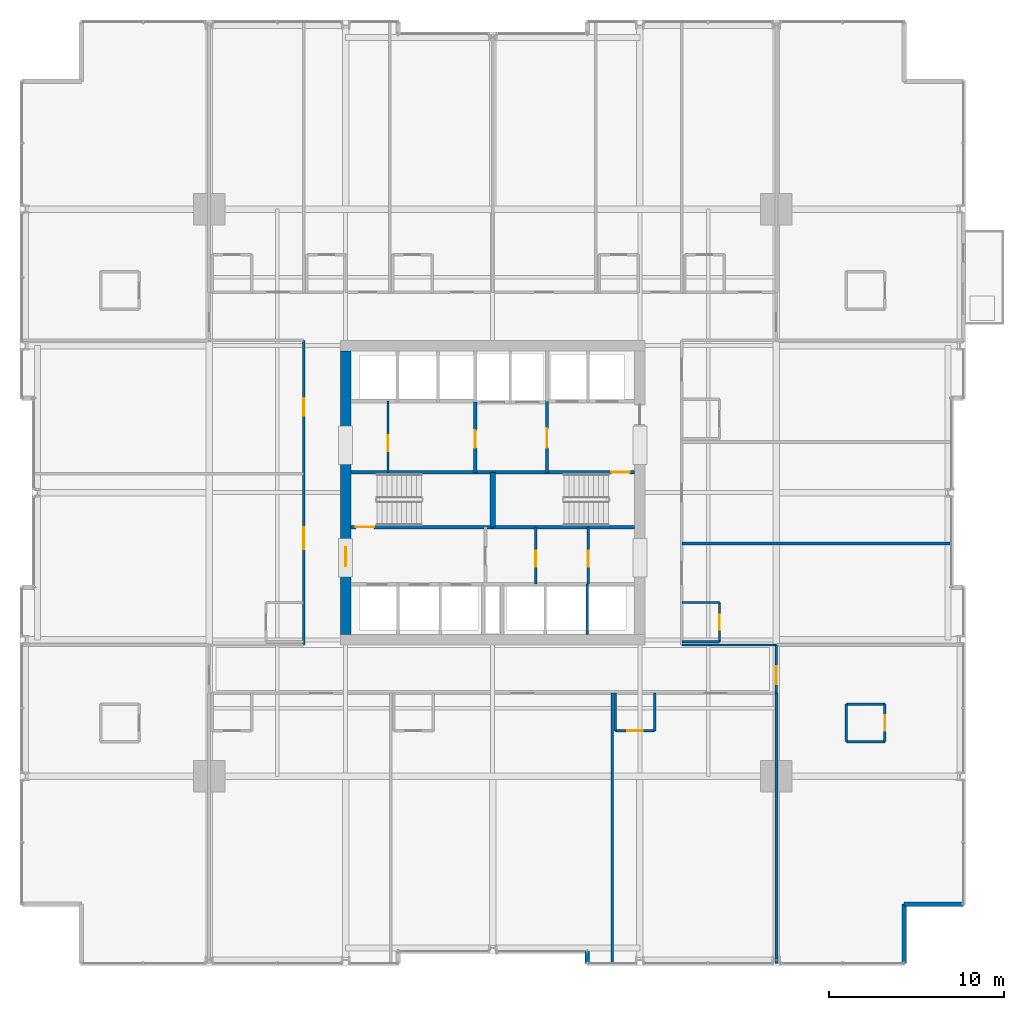
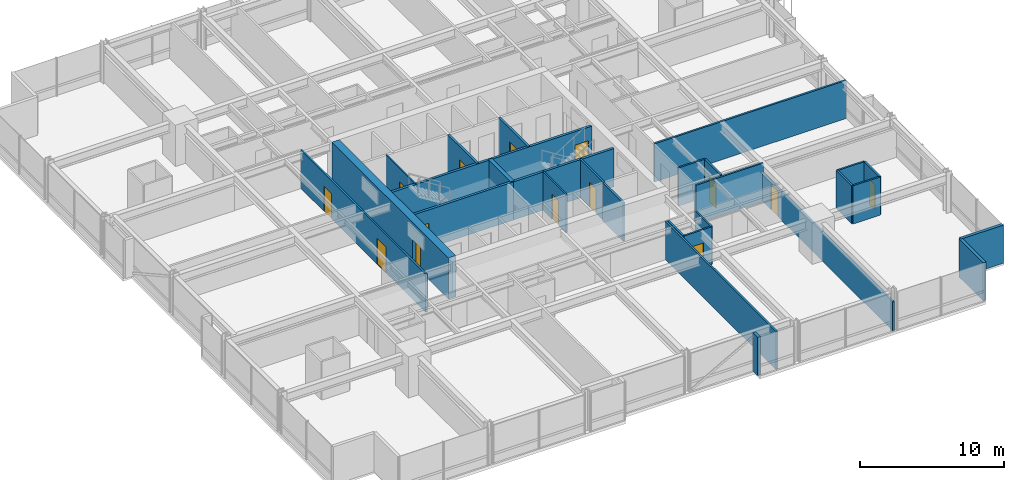
# One storey, part 31 of 38: 31 walls, 14 doors, 14 openings.
"""IFC4 building model written with IfcOpenShell, lengths in metres."""

from ifc_helpers import new_model, si_unit, direction, frame, frame_2d, origin, place, context, subcontext, project, spatial, rectangle, extrude, material, layer, layer_set, type_object, element, fill, save


model = new_model("IFC4")

# Units and contexts
model_context = context("Model", 3, precision=1e-05, world=origin(), true_north=direction((0.0, 1.0)))
body_context = subcontext(model_context, "Body", "Model", "MODEL_VIEW")
ifc_project = project(units=[si_unit("LENGTHUNIT", "METRE"), si_unit("AREAUNIT", "SQUARE_METRE"), si_unit("VOLUMEUNIT", "CUBIC_METRE"), si_unit("PLANEANGLEUNIT", "RADIAN"), si_unit("MASSUNIT", "GRAM", prefix="KILO")], contexts=[model_context])

# Site, building, storey
site_placement = place(None, origin())
site = spatial("IfcSite", under=ifc_project, at=site_placement, CompositionType="ELEMENT")
building_placement = place(site_placement, origin())
building = spatial("IfcBuilding", under=site, at=building_placement, Name="Drelvath Grand Hotel", CompositionType="ELEMENT")
storey_placement = place(building_placement, frame((0.0, 0.0, 64.699951171875)))
storey = spatial("IfcBuildingStorey", under=building, at=storey_placement, Name="L15", CompositionType="ELEMENT", Elevation=64.699951171875)

# Wall, opening, door
ifc_material_1 = material(Name="Gypsum Partition Board")
ifc_layer_1 = layer(ifc_material_1, 0.10009765625)
ifc_layer_set_1 = layer_set([ifc_layer_1], Name="Gypsum Partition Board")
wall_type_1 = type_object("IfcWallType", Name="Core Closet Partition 100", PredefinedType="PARTITIONING", material=ifc_layer_set_1)
wall_1_placement = place(storey_placement, frame((-5.97998046875, 28.159912109375, 0.0), z_axis=(0.0, 0.0, 1.0), x_axis=(0.0, 1.0, 0.0)))
wall_1 = element("IfcWall", 1, at=wall_1_placement, inside=storey, type_object=wall_type_1, Name="L15 Core Closet Divider 2", PredefinedType="PARTITIONING", context=body_context, shape_type="SweptSolid", body=[
    extrude(rectangle(XDim=4.06005859375, YDim=0.10009765625, at=frame_2d((2.030029296875, 0.0))), origin(), (0.0, 0.0, 1.0), 3.239990234375),
])
opening_1_placement = place(wall_1_placement, frame((1.199951171875, 0.0, 0.0)))
opening_1 = element("IfcOpeningElement", 2, at=opening_1_placement, cuts=wall_1, Name="Opening D-T1G4-010", PredefinedType="OPENING", context=body_context, shape_type="SweptSolid", body=[
    extrude(rectangle(XDim=0.919921875, YDim=2.10009765625, at=frame_2d((0.4599609375, 1.050048828125))), frame((0.0, 0.06005859375, 0.0), z_axis=(0.0, -1.0, 0.0), x_axis=(1.0, 0.0, 0.0)), (0.0, 0.0, 1.0), 0.1201171875),
])
ifc_material_2 = material(Name="Painted Steel S275", Category="steel")
door_type_1 = type_object("IfcDoorType", Name="Staff Utility Door 920x2100", OperationType="NOTDEFINED", PredefinedType="DOOR", material=ifc_material_2)
door_1_placement = place(opening_1_placement, origin())
door_1 = element("IfcDoor", 3, at=door_1_placement, inside=storey, type_object=door_type_1, Name="L15 Low-Voltage Closet Door", OperationType="SINGLE_SWING_RIGHT", OverallHeight=2.10009765625, OverallWidth=0.919921875, PredefinedType="DOOR", context=body_context, shape_type="SweptSolid", body=[
    extrude(rectangle(XDim=0.919921875, YDim=2.10009765625, at=frame_2d((0.4599609375, 1.050048828125))), frame((0.0, 0.02490234375, 0.0), z_axis=(0.0, -1.0, 0.0), x_axis=(1.0, 0.0, 0.0)), (0.0, 0.0, 1.0), 0.050048828125),
])
fill(opening_1, door_1)

ifc_material_3 = material(Name="Concrete C40/50", Category="concrete")
ifc_layer_2 = layer(ifc_material_3, 0.199951171875)
ifc_layer_set_2 = layer_set([ifc_layer_2], Name="Concrete C40/50")
wall_type_2 = type_object("IfcWallType", Name="Core Shaft Fire Wall 200", PredefinedType="SOLIDWALL", material=ifc_layer_set_2)
wall_2_placement = place(storey_placement, frame((-8.10009765625, 25.0400390625, 0.0), z_axis=(0.0, 0.0, 1.0), x_axis=(1.0, 0.0, 0.0)))
wall_2 = element("IfcWall", 4, at=wall_2_placement, inside=storey, type_object=wall_type_2, Name="L15 Stair ST-1 South Wall", PredefinedType="SOLIDWALL", context=body_context, shape_type="SweptSolid", body=[
    extrude(rectangle(XDim=8.10009765625, YDim=0.199951171875, at=frame_2d((4.050048828125, 0.0))), origin(), (0.0, 0.0, 1.0), 3.239990234375),
])
opening_2_placement = place(wall_2_placement, frame((0.280029296875, 0.0, 0.0)))
opening_2 = element("IfcOpeningElement", 5, at=opening_2_placement, cuts=wall_2, Name="Opening D-T1G4-001", PredefinedType="OPENING", context=body_context, shape_type="SweptSolid", body=[
    extrude(rectangle(XDim=1.050048828125, YDim=2.10009765625, at=frame_2d((0.52490234375, 1.050048828125))), frame((0.0, 0.10986328125, 0.0), z_axis=(0.0, -1.0, 0.0), x_axis=(1.0, 0.0, 0.0)), (0.0, 0.0, 1.0), 0.219970703125),
])
door_type_2 = type_object("IfcDoorType", Name="Tower Stairwell Fire Door 1050x2100", OperationType="NOTDEFINED", PredefinedType="DOOR", material=ifc_material_2)
door_2_placement = place(opening_2_placement, origin())
door_2 = element("IfcDoor", 6, at=door_2_placement, inside=storey, type_object=door_type_2, Name="L15 Exit Stair ST-1 Door", OperationType="SINGLE_SWING_LEFT", OverallHeight=2.10009765625, OverallWidth=1.050048828125, PredefinedType="DOOR", context=body_context, shape_type="SweptSolid", body=[
    extrude(rectangle(XDim=1.050048828125, YDim=2.10009765625, at=frame_2d((0.52490234375, 1.050048828125))), frame((0.0, 0.02490234375, 0.0), z_axis=(0.0, -1.0, 0.0), x_axis=(1.0, 0.0, 0.0)), (0.0, 0.0, 1.0), 0.050048828125),
])
fill(opening_2, door_2)

# Walls
for number, where, z_axis, x_axis, name in (
    (7, (-8.10009765625, 28.159912109375, 0.0), (0.0, 0.0, 1.0), (1.0, 0.0, 0.0), "L15 Stair ST-1 North Wall"),
    (8, (0.0, 25.0400390625, 0.0), (0.0, 0.0, 1.0), (1.0, 0.0, 0.0), "L15 Stair ST-2 South Wall"),
):
    element("IfcWall", number, at=place(storey_placement, frame(where, z_axis=z_axis, x_axis=x_axis)), inside=storey, type_object=wall_type_2, Name=name, PredefinedType="SOLIDWALL", context=body_context, shape_type="SweptSolid", body=[
        extrude(rectangle(XDim=8.10009765625, YDim=0.199951171875, at=frame_2d((4.050048828125, 0.0))), origin(), (0.0, 0.0, 1.0), 3.239990234375),
    ])

# Wall, opening, door
wall_3_placement = place(storey_placement, frame((8.10009765625, 28.159912109375, 0.0), z_axis=(0.0, 0.0, 1.0), x_axis=(-1.0, 0.0, 0.0)))
wall_3 = element("IfcWall", 9, at=wall_3_placement, inside=storey, type_object=wall_type_2, Name="L15 Stair ST-2 North Wall", PredefinedType="SOLIDWALL", context=body_context, shape_type="SweptSolid", body=[
    extrude(rectangle(XDim=8.10009765625, YDim=0.199951171875, at=frame_2d((4.050048828125, 0.0))), origin(), (0.0, 0.0, 1.0), 3.239990234375),
])
opening_3_placement = place(wall_3_placement, frame((0.280029296875, 0.0, 0.0)))
opening_3 = element("IfcOpeningElement", 10, at=opening_3_placement, cuts=wall_3, Name="Opening D-T1G4-002", PredefinedType="OPENING", context=body_context, shape_type="SweptSolid", body=[
    extrude(rectangle(XDim=1.050048828125, YDim=2.10009765625, at=frame_2d((0.52490234375, 1.050048828125))), frame((0.0, 0.10986328125, 0.0), z_axis=(0.0, -1.0, 0.0), x_axis=(1.0, 0.0, 0.0)), (0.0, 0.0, 1.0), 0.219970703125),
])
door_3_placement = place(opening_3_placement, origin())
door_3 = element("IfcDoor", 11, at=door_3_placement, inside=storey, type_object=door_type_2, Name="L15 Exit Stair ST-2 Door", OperationType="SINGLE_SWING_LEFT", OverallHeight=2.10009765625, OverallWidth=1.050048828125, PredefinedType="DOOR", context=body_context, shape_type="SweptSolid", body=[
    extrude(rectangle(XDim=1.050048828125, YDim=2.10009765625, at=frame_2d((0.52490234375, 1.050048828125))), frame((0.0, 0.02490234375, 0.0), z_axis=(0.0, -1.0, 0.0), x_axis=(1.0, 0.0, 0.0)), (0.0, 0.0, 1.0), 0.050048828125),
])
fill(opening_3, door_3)

# Walls
ifc_layer_3 = layer(ifc_material_3, 0.300048828125)
ifc_layer_set_3 = layer_set([ifc_layer_3], Name="Concrete C40/50")
wall_type_3 = type_object("IfcWallType", Name="Core Shaft Fire Wall 300", PredefinedType="SOLIDWALL", material=ifc_layer_set_3)
wall_4_placement = place(storey_placement, frame((0.0, 25.0400390625, 0.0), z_axis=(0.0, 0.0, 1.0), x_axis=(0.0, 1.0, 0.0)))
element("IfcWall", 12, at=wall_4_placement, inside=storey, type_object=wall_type_3, Name="L15 Core Stair Divider Wall", PredefinedType="SOLIDWALL", context=body_context, shape_type="SweptSolid", body=[
    extrude(rectangle(XDim=3.119873046875, YDim=0.300048828125, at=frame_2d((1.56005859375, 0.0))), origin(), (0.0, 0.0, 1.0), 3.239990234375),
])
ifc_material_4 = material(Name="Gypsum Fireboard Partition")
ifc_layer_4 = layer(ifc_material_4, 0.1650390625)
ifc_layer_set_4 = layer_set([ifc_layer_4], Name="Gypsum Fireboard Partition")
wall_type_4 = type_object("IfcWallType", Name="Core Shaft Partition 165", PredefinedType="PARTITIONING", material=ifc_layer_set_4)
wall_5_placement = place(storey_placement, frame((5.39990234375, 18.89990234375, 0.0), z_axis=(0.0, 0.0, 1.0), x_axis=(0.0, 1.0, 0.0)))
element("IfcWall", 13, at=wall_5_placement, inside=storey, type_object=wall_type_4, Name="L15 Lift PE-5/6 Divider", PredefinedType="PARTITIONING", context=body_context, shape_type="SweptSolid", body=[
    extrude(rectangle(XDim=2.880126953125, YDim=0.1650390625, at=frame_2d((1.43994140625, 0.0))), origin(), (0.0, 0.0, 1.0), 3.239990234375),
])
ifc_layer_5 = layer(ifc_material_4, 0.135009765625)
ifc_layer_set_5 = layer_set([ifc_layer_5], Name="Gypsum Fireboard Partition")
wall_type_5 = type_object("IfcWallType", Name="Corridor Fire Barrier Wall 135", PredefinedType="PARTITIONING", material=ifc_layer_set_5)
wall_6_placement = place(storey_placement, frame((10.800048828125, 18.300048828125, 0.0), z_axis=(0.0, 0.0, 1.0), x_axis=(1.0, 0.0, 0.0)))
element("IfcWall", 14, at=wall_6_placement, inside=storey, type_object=wall_type_5, Name="L15 SE Spur Inner Wall", PredefinedType="PARTITIONING", context=body_context, shape_type="SweptSolid", body=[
    extrude(rectangle(XDim=5.39990234375, YDim=0.135009765625, at=frame_2d((2.699951171875, 0.0))), origin(), (0.0, 0.0, 1.0), 3.239990234375),
])

# Wall, openings, doors
wall_7_placement = place(storey_placement, frame((-10.800048828125, 18.300048828125, 0.0), z_axis=(0.0, 0.0, 1.0), x_axis=(0.0, 1.0, 0.0)))
wall_7 = element("IfcWall", 15, at=wall_7_placement, inside=storey, type_object=wall_type_5, Name="L15 West Corridor Wall", PredefinedType="PARTITIONING", context=body_context, shape_type="SweptSolid", body=[
    extrude(rectangle(XDim=17.39990234375, YDim=0.135009765625, at=frame_2d((8.699951171875, 0.0))), origin(), (0.0, 0.0, 1.0), 3.239990234375),
])
opening_4_placement = place(wall_7_placement, frame((5.478759765625, 0.0, 0.0)))
opening_4 = element("IfcOpeningElement", 16, at=opening_4_placement, cuts=wall_7, Name="Opening D-T1G4-044", PredefinedType="OPENING", context=body_context, shape_type="SweptSolid", body=[
    extrude(rectangle(XDim=1.260009765625, YDim=2.199951171875, at=frame_2d((0.6298828125, 1.10009765625))), frame((0.0, 0.077392578125, 0.0), z_axis=(0.0, -1.0, 0.0), x_axis=(1.0, 0.0, 0.0)), (0.0, 0.0, 1.0), 0.155029296875),
])
opening_5_placement = place(wall_7_placement, frame((13.083740234375, 0.0, 0.0)))
opening_5 = element("IfcOpeningElement", 17, at=opening_5_placement, cuts=wall_7, Name="Opening D-T1G4-045", PredefinedType="OPENING", context=body_context, shape_type="SweptSolid", body=[
    extrude(rectangle(XDim=1.02001953125, YDim=2.14990234375, at=frame_2d((0.510009765625, 1.074951171875))), frame((0.0, 0.077392578125, 0.0), z_axis=(0.0, -1.0, 0.0), x_axis=(1.0, 0.0, 0.0)), (0.0, 0.0, 1.0), 0.155029296875),
])
ifc_material_5 = material(Name="Hardwood Walnut Timber", Category="wood")
door_type_3 = type_object("IfcDoorType", Name="Amenity Meeting Fire Door 1020x2150", OperationType="NOTDEFINED", PredefinedType="DOOR", material=ifc_material_5)
door_4_placement = place(opening_5_placement, origin())
door_4 = element("IfcDoor", 18, at=door_4_placement, inside=storey, type_object=door_type_3, Name="L15 Wellness Consultation Room Entry Door", OperationType="SINGLE_SWING_RIGHT", OverallHeight=2.14990234375, OverallWidth=1.02001953125, PredefinedType="DOOR", context=body_context, shape_type="SweptSolid", body=[
    extrude(rectangle(XDim=1.02001953125, YDim=2.14990234375, at=frame_2d((0.510009765625, 1.074951171875))), frame((0.0, 0.02490234375, 0.0), z_axis=(0.0, -1.0, 0.0), x_axis=(1.0, 0.0, 0.0)), (0.0, 0.0, 1.0), 0.050048828125),
])
fill(opening_5, door_4)
door_type_4 = type_object("IfcDoorType", Name="Suite Entrance Fire Door 1260x2200", OperationType="NOTDEFINED", PredefinedType="DOOR", material=ifc_material_5)
door_5_placement = place(opening_4_placement, origin())
door_5 = element("IfcDoor", 19, at=door_5_placement, inside=storey, type_object=door_type_4, Name="L15 Corner Suite Entry Door", OperationType="SINGLE_SWING_LEFT", OverallHeight=2.199951171875, OverallWidth=1.260009765625, PredefinedType="DOOR", context=body_context, shape_type="SweptSolid", body=[
    extrude(rectangle(XDim=1.260009765625, YDim=2.199951171875, at=frame_2d((0.6298828125, 1.10009765625))), frame((0.0, 0.02490234375, 0.0), z_axis=(0.0, -1.0, 0.0), x_axis=(1.0, 0.0, 0.0)), (0.0, 0.0, 1.0), 0.050048828125),
])
fill(opening_4, door_5)

# Wall, opening, door
wall_8_placement = place(storey_placement, frame((16.199951171875, 15.550048828125, 0.0), z_axis=(0.0, 0.0, 1.0), x_axis=(0.0, 1.0, 0.0)))
wall_8 = element("IfcWall", 20, at=wall_8_placement, inside=storey, type_object=wall_type_5, Name="L15 South Corridor East End", PredefinedType="PARTITIONING", context=body_context, shape_type="SweptSolid", body=[
    extrude(rectangle(XDim=2.75, YDim=0.135009765625, at=frame_2d((1.375, 0.0))), origin(), (0.0, 0.0, 1.0), 2.451904296875),
])
opening_6_placement = place(wall_8_placement, frame((0.52001953125, 0.0, 0.0)))
opening_6 = element("IfcOpeningElement", 21, at=opening_6_placement, cuts=wall_8, Name="Opening D-T1G4-021", PredefinedType="OPENING", context=body_context, shape_type="SweptSolid", body=[
    extrude(rectangle(XDim=1.02001953125, YDim=2.14990234375, at=frame_2d((0.510009765625, 1.074951171875))), frame((0.0, 0.077392578125, 0.0), z_axis=(0.0, -1.0, 0.0), x_axis=(1.0, 0.0, 0.0)), (0.0, 0.0, 1.0), 0.155029296875),
])
door_6_placement = place(opening_6_placement, origin())
door_6 = element("IfcDoor", 22, at=door_6_placement, inside=storey, type_object=door_type_3, Name="L15 Corner Suite Entry Door", OperationType="SINGLE_SWING_RIGHT", OverallHeight=2.14990234375, OverallWidth=1.02001953125, PredefinedType="DOOR", context=body_context, shape_type="SweptSolid", body=[
    extrude(rectangle(XDim=1.02001953125, YDim=2.14990234375, at=frame_2d((0.510009765625, 1.074951171875))), frame((0.0, 0.02490234375, 0.0), z_axis=(0.0, -1.0, 0.0), x_axis=(1.0, 0.0, 0.0)), (0.0, 0.0, 1.0), 0.050048828125),
])
fill(opening_6, door_6)

ifc_material_6 = material(Name="Moisture-Resistant Gypsum Board")
ifc_layer_6 = layer(ifc_material_6, 0.139892578125)
ifc_layer_set_6 = layer_set([ifc_layer_6], Name="Moisture-Resistant Gypsum Board")
wall_type_6 = type_object("IfcWallType", Name="En-Suite Plumbing Wall 140", PredefinedType="PLUMBINGWALL", material=ifc_layer_set_6)
wall_9_placement = place(storey_placement, frame((2.4599609375, 21.780029296875, 0.0), z_axis=(0.0, 0.0, 1.0), x_axis=(0.0, 1.0, 0.0)))
wall_9 = element("IfcWall", 23, at=wall_9_placement, inside=storey, type_object=wall_type_6, Name="L15 Staff WC West Wall", PredefinedType="PLUMBINGWALL", context=body_context, shape_type="SweptSolid", body=[
    extrude(rectangle(XDim=3.260009765625, YDim=0.139892578125, at=frame_2d((1.6298828125, 0.0))), origin(), (0.0, 0.0, 1.0), 3.239990234375),
])
opening_7_placement = place(wall_9_placement, frame((1.0, 0.0, 0.0)))
opening_7 = element("IfcOpeningElement", 24, at=opening_7_placement, cuts=wall_9, Name="Opening D-T1G4-016", PredefinedType="OPENING", context=body_context, shape_type="SweptSolid", body=[
    extrude(rectangle(XDim=0.919921875, YDim=2.10009765625, at=frame_2d((0.4599609375, 1.050048828125))), frame((0.0, 0.079833984375, 0.0), z_axis=(0.0, -1.0, 0.0), x_axis=(1.0, 0.0, 0.0)), (0.0, 0.0, 1.0), 0.159912109375),
])
door_7_placement = place(opening_7_placement, origin())
door_7 = element("IfcDoor", 25, at=door_7_placement, inside=storey, type_object=door_type_1, Name="L15 Staff WC Door", OperationType="SINGLE_SWING_LEFT", OverallHeight=2.10009765625, OverallWidth=0.919921875, PredefinedType="DOOR", context=body_context, shape_type="SweptSolid", body=[
    extrude(rectangle(XDim=0.919921875, YDim=2.10009765625, at=frame_2d((0.4599609375, 1.050048828125))), frame((0.0, 0.02490234375, 0.0), z_axis=(0.0, -1.0, 0.0), x_axis=(1.0, 0.0, 0.0)), (0.0, 0.0, 1.0), 0.050048828125),
])
fill(opening_7, door_7)

wall_10_placement = place(storey_placement, frame((5.4599609375, 21.780029296875, 0.0), z_axis=(0.0, 0.0, 1.0), x_axis=(0.0, 1.0, 0.0)))
wall_10 = element("IfcWall", 26, at=wall_10_placement, inside=storey, type_object=wall_type_6, Name="L15 Staff WC East Wall", PredefinedType="PLUMBINGWALL", context=body_context, shape_type="SweptSolid", body=[
    extrude(rectangle(XDim=3.260009765625, YDim=0.139892578125, at=frame_2d((1.6298828125, 0.0))), origin(), (0.0, 0.0, 1.0), 3.239990234375),
])
opening_8_placement = place(wall_10_placement, frame((1.0, 0.0, 0.0)))
opening_8 = element("IfcOpeningElement", 27, at=opening_8_placement, cuts=wall_10, Name="Opening D-T1G4-017", PredefinedType="OPENING", context=body_context, shape_type="SweptSolid", body=[
    extrude(rectangle(XDim=0.919921875, YDim=2.10009765625, at=frame_2d((0.4599609375, 1.050048828125))), frame((0.0, 0.079833984375, 0.0), z_axis=(0.0, -1.0, 0.0), x_axis=(1.0, 0.0, 0.0)), (0.0, 0.0, 1.0), 0.159912109375),
])
door_8_placement = place(opening_8_placement, origin())
door_8 = element("IfcDoor", 28, at=door_8_placement, inside=storey, type_object=door_type_1, Name="L15 Janitor Supply Door", OperationType="SINGLE_SWING_RIGHT", OverallHeight=2.10009765625, OverallWidth=0.919921875, PredefinedType="DOOR", context=body_context, shape_type="SweptSolid", body=[
    extrude(rectangle(XDim=0.919921875, YDim=2.10009765625, at=frame_2d((0.4599609375, 1.050048828125))), frame((0.0, 0.02490234375, 0.0), z_axis=(0.0, -1.0, 0.0), x_axis=(1.0, 0.0, 0.0)), (0.0, 0.0, 1.0), 0.050048828125),
])
fill(opening_8, door_8)

# Walls
for number, where, z_axis, x_axis, name in (
    (29, (20.199951171875, 12.780029296875, 0.0), (0.0, 0.0, 1.0), (1.0, 0.0, 0.0), "L15 Corner En-Suite South"),
    (30, (20.199951171875, 14.929931640625, 0.0), (0.0, 0.0, 1.0), (1.0, 0.0, 0.0), "L15 Corner En-Suite North"),
):
    element("IfcWall", number, at=place(storey_placement, frame(where, z_axis=z_axis, x_axis=x_axis)), inside=storey, type_object=wall_type_6, Name=name, PredefinedType="PLUMBINGWALL", context=body_context, shape_type="SweptSolid", body=[
        extrude(rectangle(XDim=2.199951171875, YDim=0.139892578125, at=frame_2d((1.10009765625, 0.0))), origin(), (0.0, 0.0, 1.0), 3.239990234375),
    ])
wall_11_placement = place(storey_placement, frame((20.199951171875, 12.780029296875, 0.0), z_axis=(0.0, 0.0, 1.0), x_axis=(0.0, 1.0, 0.0)))
element("IfcWall", 31, at=wall_11_placement, inside=storey, type_object=wall_type_6, Name="L15 Corner En-Suite West", PredefinedType="PLUMBINGWALL", context=body_context, shape_type="SweptSolid", body=[
    extrude(rectangle(XDim=2.14990234375, YDim=0.139892578125, at=frame_2d((1.074951171875, 0.0))), origin(), (0.0, 0.0, 1.0), 3.239990234375),
])

# Wall, opening, door
wall_12_placement = place(storey_placement, frame((22.39990234375, 12.780029296875, 0.0), z_axis=(0.0, 0.0, 1.0), x_axis=(0.0, 1.0, 0.0)))
wall_12 = element("IfcWall", 32, at=wall_12_placement, inside=storey, type_object=wall_type_6, Name="L15 Corner En-Suite East", PredefinedType="PLUMBINGWALL", context=body_context, shape_type="SweptSolid", body=[
    extrude(rectangle(XDim=2.14990234375, YDim=0.139892578125, at=frame_2d((1.074951171875, 0.0))), origin(), (0.0, 0.0, 1.0), 3.239990234375),
])
opening_9_placement = place(wall_12_placement, frame((0.6201171875, 0.0, 0.0)))
opening_9 = element("IfcOpeningElement", 33, at=opening_9_placement, cuts=wall_12, Name="Opening D-T1G4-020", PredefinedType="OPENING", context=body_context, shape_type="SweptSolid", body=[
    extrude(rectangle(XDim=0.8798828125, YDim=2.10009765625, at=frame_2d((0.43994140625, 1.050048828125))), frame((0.0, 0.079833984375, 0.0), z_axis=(0.0, -1.0, 0.0), x_axis=(1.0, 0.0, 0.0)), (0.0, 0.0, 1.0), 0.159912109375),
])
door_type_5 = type_object("IfcDoorType", Name="En-Suite Bathroom Door 880x2100", OperationType="NOTDEFINED", PredefinedType="DOOR", material=ifc_material_5)
door_9_placement = place(opening_9_placement, origin())
door_9 = element("IfcDoor", 34, at=door_9_placement, inside=storey, type_object=door_type_5, Name="L15 Corner En-Suite Door", OperationType="SINGLE_SWING_LEFT", OverallHeight=2.10009765625, OverallWidth=0.8798828125, PredefinedType="DOOR", context=body_context, shape_type="SweptSolid", body=[
    extrude(rectangle(XDim=0.8798828125, YDim=2.10009765625, at=frame_2d((0.43994140625, 1.050048828125))), frame((0.0, 0.02490234375, 0.0), z_axis=(0.0, -1.0, 0.0), x_axis=(1.0, 0.0, 0.0)), (0.0, 0.0, 1.0), 0.050048828125),
])
fill(opening_9, door_9)

# Walls
for number, where, z_axis, x_axis, name in (
    (35, (7.001220703125, 15.550048828125, 0.0), (0.0, 0.0, 1.0), (0.0, -1.0, 0.0), "L15 En-Suite Left Wall"),
    (36, (9.251220703125, 15.550048828125, 0.0), (0.0, 0.0, 1.0), (0.0, -1.0, 0.0), "L15 En-Suite Right Wall"),
):
    element("IfcWall", number, at=place(storey_placement, frame(where, z_axis=z_axis, x_axis=x_axis)), inside=storey, type_object=wall_type_6, Name=name, PredefinedType="PLUMBINGWALL", context=body_context, shape_type="SweptSolid", body=[
        extrude(rectangle(XDim=2.150146484375, YDim=0.139892578125, at=frame_2d((1.0751953125, 0.0))), origin(), (0.0, 0.0, 1.0), 3.239990234375),
    ])

# Wall, opening, door
wall_13_placement = place(storey_placement, frame((7.001220703125, 13.39990234375, 0.0), z_axis=(0.0, 0.0, 1.0), x_axis=(1.0, 0.0, 0.0)))
wall_13 = element("IfcWall", 37, at=wall_13_placement, inside=storey, type_object=wall_type_6, Name="L15 En-Suite Front Wall", PredefinedType="PLUMBINGWALL", context=body_context, shape_type="SweptSolid", body=[
    extrude(rectangle(XDim=2.25, YDim=0.139892578125, at=frame_2d((1.125, 0.0))), origin(), (0.0, 0.0, 1.0), 3.239990234375),
])
opening_10_placement = place(wall_13_placement, frame((0.68505859375, 0.0, 0.0)))
opening_10 = element("IfcOpeningElement", 38, at=opening_10_placement, cuts=wall_13, Name="Opening D-T1G4-030", PredefinedType="OPENING", context=body_context, shape_type="SweptSolid", body=[
    extrude(rectangle(XDim=0.8798828125, YDim=2.10009765625, at=frame_2d((0.43994140625, 1.050048828125))), frame((0.0, 0.079833984375, 0.0), z_axis=(0.0, -1.0, 0.0), x_axis=(1.0, 0.0, 0.0)), (0.0, 0.0, 1.0), 0.159912109375),
])
door_10_placement = place(opening_10_placement, origin())
door_10 = element("IfcDoor", 39, at=door_10_placement, inside=storey, type_object=door_type_5, Name="L15 En-Suite Bathroom Door", OperationType="SINGLE_SWING_LEFT", OverallHeight=2.10009765625, OverallWidth=0.8798828125, PredefinedType="DOOR", context=body_context, shape_type="SweptSolid", body=[
    extrude(rectangle(XDim=0.8798828125, YDim=2.10009765625, at=frame_2d((0.43994140625, 1.050048828125))), frame((0.0, 0.02490234375, 0.0), z_axis=(0.0, -1.0, 0.0), x_axis=(1.0, 0.0, 0.0)), (0.0, 0.0, 1.0), 0.050048828125),
])
fill(opening_10, door_10)

# Walls
wall_14_placement = place(storey_placement, frame((10.800048828125, 18.47998046875, 0.0), z_axis=(0.0, 0.0, 1.0), x_axis=(1.0, 0.0, 0.0)))
element("IfcWall", 40, at=wall_14_placement, inside=storey, type_object=wall_type_6, Name="L15 En-Suite Left Wall", PredefinedType="PLUMBINGWALL", context=body_context, shape_type="SweptSolid", body=[
    extrude(rectangle(XDim=2.14990234375, YDim=0.139892578125, at=frame_2d((1.074951171875, 0.0))), origin(), (0.0, 0.0, 1.0), 2.617431640625),
])
wall_15_placement = place(storey_placement, frame((10.800048828125, 20.72998046875, 0.0), z_axis=(0.0, 0.0, 1.0), x_axis=(1.0, 0.0, 0.0)))
element("IfcWall", 41, at=wall_15_placement, inside=storey, type_object=wall_type_6, Name="L15 En-Suite Right Wall", PredefinedType="PLUMBINGWALL", context=body_context, shape_type="SweptSolid", body=[
    extrude(rectangle(XDim=2.14990234375, YDim=0.139892578125, at=frame_2d((1.074951171875, 0.0))), origin(), (0.0, 0.0, 1.0), 3.239990234375),
])

# Wall, opening, door
wall_16_placement = place(storey_placement, frame((12.949951171875, 18.47998046875, 0.0), z_axis=(0.0, 0.0, 1.0), x_axis=(0.0, 1.0, 0.0)))
wall_16 = element("IfcWall", 42, at=wall_16_placement, inside=storey, type_object=wall_type_6, Name="L15 En-Suite Front Wall", PredefinedType="PLUMBINGWALL", context=body_context, shape_type="SweptSolid", body=[
    extrude(rectangle(XDim=2.25, YDim=0.139892578125, at=frame_2d((1.125, 0.0))), origin(), (0.0, 0.0, 1.0), 3.239990234375),
])
opening_11_placement = place(wall_16_placement, frame((0.68505859375, 0.0, 0.0)))
opening_11 = element("IfcOpeningElement", 43, at=opening_11_placement, cuts=wall_16, Name="Opening D-T1G4-046", PredefinedType="OPENING", context=body_context, shape_type="SweptSolid", body=[
    extrude(rectangle(XDim=0.8798828125, YDim=2.10009765625, at=frame_2d((0.43994140625, 1.050048828125))), frame((0.0, 0.079833984375, 0.0), z_axis=(0.0, -1.0, 0.0), x_axis=(1.0, 0.0, 0.0)), (0.0, 0.0, 1.0), 0.159912109375),
])
door_11_placement = place(opening_11_placement, origin())
door_11 = element("IfcDoor", 44, at=door_11_placement, inside=storey, type_object=door_type_5, Name="L15 En-Suite Bathroom Door", OperationType="SINGLE_SWING_LEFT", OverallHeight=2.10009765625, OverallWidth=0.8798828125, PredefinedType="DOOR", context=body_context, shape_type="SweptSolid", body=[
    extrude(rectangle(XDim=0.8798828125, YDim=2.10009765625, at=frame_2d((0.43994140625, 1.050048828125))), frame((0.0, 0.02490234375, 0.0), z_axis=(0.0, -1.0, 0.0), x_axis=(1.0, 0.0, 0.0)), (0.0, 0.0, 1.0), 0.050048828125),
])
fill(opening_11, door_11)

ifc_layer_7 = layer(ifc_material_4, 0.179931640625)
ifc_layer_set_7 = layer_set([ifc_layer_7], Name="Gypsum Fireboard Partition")
wall_type_7 = type_object("IfcWallType", Name="FSAE Smoke Lobby Fire Wall 180", PredefinedType="SOLIDWALL", material=ifc_layer_set_7)
wall_17_placement = place(storey_placement, frame((3.10009765625, 28.159912109375, 0.0), z_axis=(0.0, 0.0, 1.0), x_axis=(0.0, 1.0, 0.0)))
wall_17 = element("IfcWall", 45, at=wall_17_placement, inside=storey, type_object=wall_type_7, Name="L15 FSAE Smoke Lobby West Wall", PredefinedType="SOLIDWALL", context=body_context, shape_type="SweptSolid", body=[
    extrude(rectangle(XDim=4.06005859375, YDim=0.179931640625, at=frame_2d((2.030029296875, 0.0))), origin(), (0.0, 0.0, 1.0), 3.239990234375),
])
opening_12_placement = place(wall_17_placement, frame((1.39990234375, 0.0, 0.0)))
opening_12 = element("IfcOpeningElement", 46, at=opening_12_placement, cuts=wall_17, Name="Opening D-T1G4-005", PredefinedType="OPENING", context=body_context, shape_type="SweptSolid", body=[
    extrude(rectangle(XDim=1.1201171875, YDim=2.10009765625, at=frame_2d((0.56005859375, 1.050048828125))), frame((0.0, 0.099853515625, 0.0), z_axis=(0.0, -1.0, 0.0), x_axis=(1.0, 0.0, 0.0)), (0.0, 0.0, 1.0), 0.199951171875),
])
door_type_6 = type_object("IfcDoorType", Name="FSAE Smoke Lobby Fire Door 1120x2100", OperationType="NOTDEFINED", PredefinedType="DOOR", material=ifc_material_2)
door_12_placement = place(opening_12_placement, origin())
door_12 = element("IfcDoor", 47, at=door_12_placement, inside=storey, type_object=door_type_6, Name="L15 FSAE Lobby Service Vestibule Door", OperationType="SINGLE_SWING_RIGHT", OverallHeight=2.10009765625, OverallWidth=1.1201171875, PredefinedType="DOOR", context=body_context, shape_type="SweptSolid", body=[
    extrude(rectangle(XDim=1.1201171875, YDim=2.10009765625, at=frame_2d((0.56005859375, 1.050048828125))), frame((0.0, 0.02490234375, 0.0), z_axis=(0.0, -1.0, 0.0), x_axis=(1.0, 0.0, 0.0)), (0.0, 0.0, 1.0), 0.050048828125),
])
fill(opening_12, door_12)

wall_18_placement = place(storey_placement, frame((-1.0, 28.159912109375, 0.0), z_axis=(0.0, 0.0, 1.0), x_axis=(0.0, 1.0, 0.0)))
wall_18 = element("IfcWall", 48, at=wall_18_placement, inside=storey, type_object=wall_type_7, Name="L15 Service Vestibule West Wall", PredefinedType="SOLIDWALL", context=body_context, shape_type="SweptSolid", body=[
    extrude(rectangle(XDim=4.02001953125, YDim=0.179931640625, at=frame_2d((2.010009765625, 0.0))), origin(), (0.0, 0.0, 1.0), 3.239990234375),
])
opening_13_placement = place(wall_18_placement, frame((1.39990234375, 0.0, 0.0)))
opening_13 = element("IfcOpeningElement", 49, at=opening_13_placement, cuts=wall_18, Name="Opening D-T1G4-009", PredefinedType="OPENING", context=body_context, shape_type="SweptSolid", body=[
    extrude(rectangle(XDim=1.0, YDim=2.10009765625, at=frame_2d((0.5, 1.050048828125))), frame((0.0, 0.099853515625, 0.0), z_axis=(0.0, -1.0, 0.0), x_axis=(1.0, 0.0, 0.0)), (0.0, 0.0, 1.0), 0.199951171875),
])
door_type_7 = type_object("IfcDoorType", Name="Core Service Fire Door 1000x2100", OperationType="NOTDEFINED", PredefinedType="DOOR", material=ifc_material_2)
door_13_placement = place(opening_13_placement, origin())
door_13 = element("IfcDoor", 50, at=door_13_placement, inside=storey, type_object=door_type_7, Name="L15 Service Vestibule West Door", OperationType="SINGLE_SWING_LEFT", OverallHeight=2.10009765625, OverallWidth=1.0, PredefinedType="DOOR", context=body_context, shape_type="SweptSolid", body=[
    extrude(rectangle(XDim=1.0, YDim=2.10009765625, at=frame_2d((0.5, 1.050048828125))), frame((0.0, 0.02490234375, 0.0), z_axis=(0.0, -1.0, 0.0), x_axis=(1.0, 0.0, 0.0)), (0.0, 0.0, 1.0), 0.050048828125),
])
fill(opening_13, door_13)

# Walls
ifc_material_7 = material(Name="Gypsum Acoustic Partition")
ifc_layer_8 = layer(ifc_material_7, 0.14990234375)
ifc_layer_set_8 = layer_set([ifc_layer_8], Name="Gypsum Acoustic Partition")
wall_type_8 = type_object("IfcWallType", Name="Guestroom Demising Wall 150", PredefinedType="PARTITIONING", material=ifc_layer_set_8)
wall_19_placement = place(storey_placement, frame((6.821044921875, 0.1201171875, 0.0), z_axis=(0.0, 0.0, 1.0), x_axis=(0.0, 1.0, 0.0)))
element("IfcWall", 51, at=wall_19_placement, inside=storey, type_object=wall_type_8, Name="L15 South Demising 2", PredefinedType="PARTITIONING", context=body_context, shape_type="SweptSolid", body=[
    extrude(rectangle(XDim=15.429931640625, YDim=0.14990234375, at=frame_2d((7.71484375, 0.0))), origin(), (0.0, 0.0, 1.0), 3.239990234375),
])
wall_20_placement = place(storey_placement, frame((10.800048828125, 24.10009765625, 0.0), z_axis=(0.0, 0.0, 1.0), x_axis=(1.0, 0.0, 0.0)))
element("IfcWall", 52, at=wall_20_placement, inside=storey, type_object=wall_type_8, Name="L15 East Demising 1", PredefinedType="PARTITIONING", context=body_context, shape_type="SweptSolid", body=[
    extrude(rectangle(XDim=15.39990234375, YDim=0.14990234375, at=frame_2d((7.699951171875, 0.0))), origin(), (0.0, 0.0, 1.0), 3.239990234375),
])

# Wall, opening, door
ifc_material_8 = material(Name="Concrete f'c 70 MPa", Category="concrete")
ifc_layer_9 = layer(ifc_material_8, 0.60009765625)
ifc_layer_set_9 = layer_set([ifc_layer_9], Name="Concrete f'c 70 MPa")
wall_type_9 = type_object("IfcWallType", Name="Lower Core RC Shear Wall 600", PredefinedType="SHEAR", material=ifc_layer_set_9)
wall_21_placement = place(storey_placement, frame((-8.39990234375, 18.89990234375, 0.0), z_axis=(0.0, 0.0, 1.0), x_axis=(0.0, 1.0, 0.0)))
wall_21 = element("IfcWall", 53, at=wall_21_placement, inside=storey, type_object=wall_type_9, Name="L15 Central Core Shear Wall W", PredefinedType="SHEAR", context=body_context, shape_type="SweptSolid", body=[
    extrude(rectangle(XDim=16.2001953125, YDim=0.60009765625, at=frame_2d((8.10009765625, 0.0))), origin(), (0.0, 0.0, 1.0), 3.5),
])
opening_14_placement = place(wall_21_placement, frame((3.89990234375, 0.0, 0.0)))
opening_14 = element("IfcOpeningElement", 54, at=opening_14_placement, cuts=wall_21, Name="Opening D-T1G4-015", PredefinedType="OPENING", context=body_context, shape_type="SweptSolid", body=[
    extrude(rectangle(XDim=1.080078125, YDim=2.0400390625, at=frame_2d((0.5400390625, 1.02001953125))), frame((0.0, 0.31005859375, 0.0), z_axis=(0.0, -1.0, 0.0), x_axis=(1.0, 0.0, 0.0)), (0.0, 0.0, 1.0), 0.6201171875),
])
door_type_8 = type_object("IfcDoorType", Name="Core Corridor Fire Door 1080x2100", OperationType="NOTDEFINED", PredefinedType="DOOR", material=ifc_material_2)
door_14_placement = place(opening_14_placement, origin())
door_14 = element("IfcDoor", 55, at=door_14_placement, inside=storey, type_object=door_type_8, Name="L15 Low-Rise Lobby West Door", OperationType="SINGLE_SWING_RIGHT", OverallHeight=2.0400390625, OverallWidth=1.080078125, PredefinedType="DOOR", context=body_context, shape_type="SweptSolid", body=[
    extrude(rectangle(XDim=1.080078125, YDim=2.0400390625, at=frame_2d((0.5400390625, 1.02001953125))), frame((0.0, 0.02490234375, 0.0), z_axis=(0.0, -1.0, 0.0), x_axis=(1.0, 0.0, 0.0)), (0.0, 0.0, 1.0), 0.050048828125),
])
fill(opening_14, door_14)

# Walls
ifc_layer_10 = layer(ifc_material_7, 0.1650390625)
ifc_layer_set_10 = layer_set([ifc_layer_10], Name="Gypsum Acoustic Partition")
wall_type_10 = type_object("IfcWallType", Name="Suite Demising Wall 165", PredefinedType="PARTITIONING", material=ifc_layer_set_10)
wall_22_placement = place(storey_placement, frame((16.199951171875, 0.1201171875, 0.0), z_axis=(0.0, 0.0, 1.0), x_axis=(0.0, 1.0, 0.0)))
element("IfcWall", 56, at=wall_22_placement, inside=storey, type_object=wall_type_10, Name="L15 SE Wing Boundary Wall", PredefinedType="PARTITIONING", context=body_context, shape_type="SweptSolid", body=[
    extrude(rectangle(XDim=15.429931640625, YDim=0.1650390625, at=frame_2d((7.71484375, 0.0))), origin(), (0.0, 0.0, 1.0), 2.451904296875),
])
ifc_material_9 = material(Name="Pale-Metal Insulated Aluminium Spandrel Assembly", Category="aluminium")
ifc_layer_11 = layer(ifc_material_9, 0.239990234375)
ifc_layer_set_11 = layer_set([ifc_layer_11], Name="Pale-Metal Insulated Aluminium Spandrel Assembly")
wall_type_11 = type_object("IfcWallType", Name="Tower Insulated Metal Spandrel Closure Wall 240", PredefinedType="STANDARD", material=ifc_layer_set_11)
for number, where, z_axis, x_axis, name in (
    (57, (26.8798828125, 3.5, 0.0), (0.0, 0.0, 1.0), (-1.0, 0.0, 0.0), "L15 Notched Corner Return Spandrel Wall CSE1"),
    (58, (23.5, 3.5, 0.0), (0.0, 0.0, 1.0), (0.0, -1.0, 0.0), "L15 Notched Corner Return Spandrel Wall CSE2"),
):
    element("IfcWall", number, at=place(storey_placement, frame(where, z_axis=z_axis, x_axis=x_axis)), inside=storey, type_object=wall_type_11, Name=name, PredefinedType="STANDARD", context=body_context, shape_type="SweptSolid", body=[
        extrude(rectangle(XDim=3.3798828125, YDim=0.239990234375, at=frame_2d((1.68994140625, 0.0))), origin(), (0.0, 0.0, 1.0), 3.239990234375),
    ])
wall_23_placement = place(storey_placement, frame((5.39990234375, 0.1201171875, 0.0), z_axis=(0.0, 0.0, 1.0), x_axis=(0.0, 1.0, 0.0)))
element("IfcWall", 59, at=wall_23_placement, inside=storey, type_object=wall_type_11, Name="L15 Notched Corner Return Spandrel Wall RS1", PredefinedType="STANDARD", context=body_context, shape_type="SweptSolid", body=[
    extrude(rectangle(XDim=0.679931640625, YDim=0.239990234375, at=frame_2d((0.33984375, 0.0))), origin(), (0.0, 0.0, 1.0), 3.239990234375),
])

save(model, "model.ifc")
